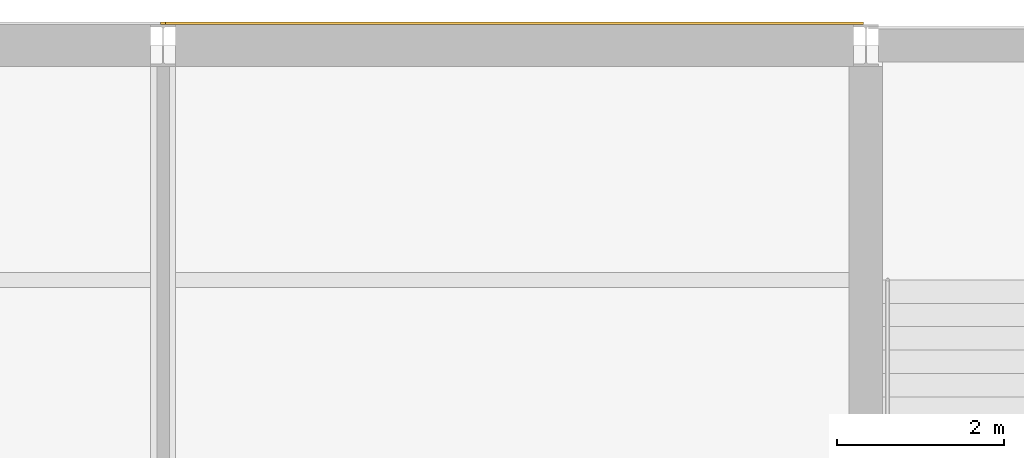
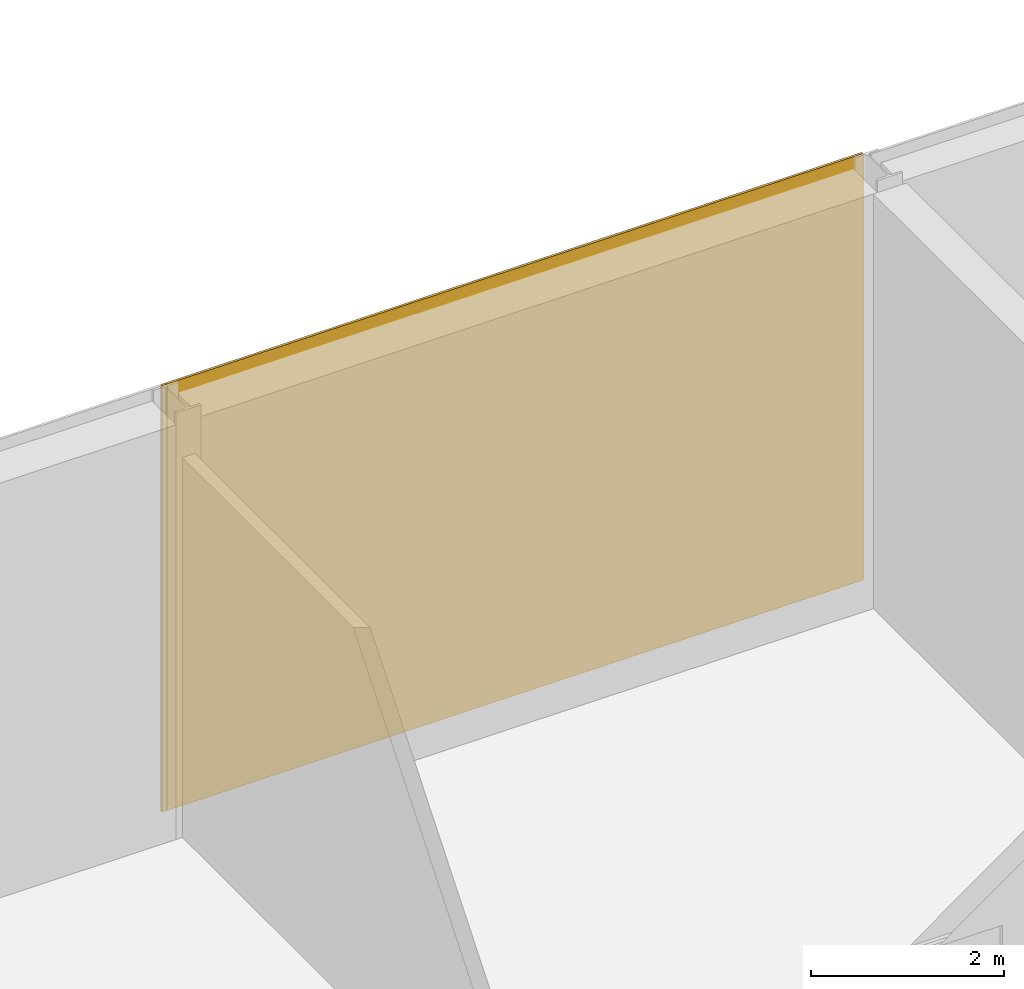
# One storey, part 52 of 64: 2 coverings.
"""IFC4 building model written with IfcOpenShell, lengths in metres."""

from ifc_helpers import new_model, si_unit, direction, frame, origin, origin_2d, place, context, subcontext, project, spatial, rectangle, extrude, material, layer, layer_set, type_object, element, save


model = new_model("IFC4")

# Units and contexts
model_context = context("Model", 3, precision=1e-05, world=origin(), true_north=direction((0.0, 1.0)))
body_context = subcontext(model_context, "Body", "Model", "MODEL_VIEW")
ifc_project = project(units=[si_unit("LENGTHUNIT", "METRE"), si_unit("AREAUNIT", "SQUARE_METRE"), si_unit("VOLUMEUNIT", "CUBIC_METRE"), si_unit("PLANEANGLEUNIT", "RADIAN"), si_unit("MASSUNIT", "GRAM", prefix="KILO")], contexts=[model_context])

# Site, building, storey
site_placement = place(None, origin())
site = spatial("IfcSite", under=ifc_project, at=site_placement, CompositionType="ELEMENT")
building_placement = place(site_placement, origin())
building = spatial("IfcBuilding", under=site, at=building_placement, Name="Galleria Vessillo Department Store", CompositionType="ELEMENT")
storey_placement = place(building_placement, frame((0.0, 0.0, 6.0)))
storey = spatial("IfcBuildingStorey", under=building, at=storey_placement, Name="L01", CompositionType="ELEMENT", Elevation=6.0)

# Coverings
ifc_material = material(Name="Lime plaster (intonaco) ochre")
ifc_layer = layer(ifc_material, 0.030029296875)
ifc_layer_set = layer_set([ifc_layer], Name="Lime plaster (intonaco) ochre")
covering_type = type_object("IfcCoveringType", Name="Lime plaster render 30 mm", PredefinedType="CLADDING", material=ifc_layer_set)
covering_1_placement = place(storey_placement, frame((29.39990234375, 63.264892578125, 0.0), z_axis=(0.0, 0.0, 1.0), x_axis=(1.0, 0.0, 0.0)))
element("IfcCovering", 1, at=covering_1_placement, inside=storey, type_object=covering_type, Name="Wall cladding S-PN-L01-03", PredefinedType="CLADDING", context=body_context, shape_type="SweptSolid", body=[
    extrude(rectangle(XDim=8.34033203125, YDim=0.030029296875, at=origin_2d()), origin(), (0.0, 0.0, 1.0), 5.39990234375),
])
covering_2_placement = place(storey_placement, frame((25.199951171875, 63.264892578125, 0.0), z_axis=(0.0, 0.0, 1.0), x_axis=(1.0, 0.0, 0.0)))
element("IfcCovering", 2, at=covering_2_placement, inside=storey, type_object=covering_type, Name="Joint block Wall cladding S-PN-L01-02", PredefinedType="CLADDING", context=body_context, shape_type="SweptSolid", body=[
    extrude(rectangle(XDim=0.059814453125, YDim=0.030029296875, at=origin_2d()), origin(), (0.0, 0.0, 1.0), 5.39990234375),
])

save(model, "model.ifc")
